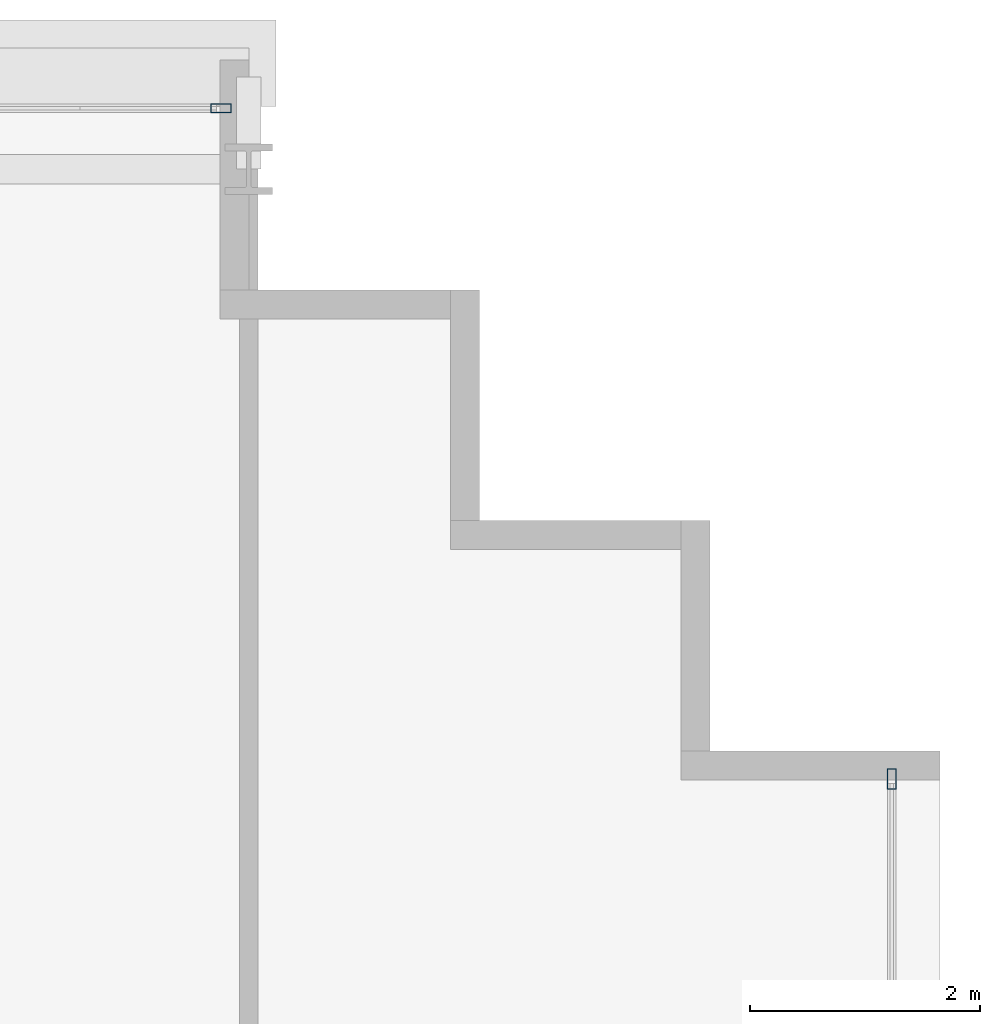
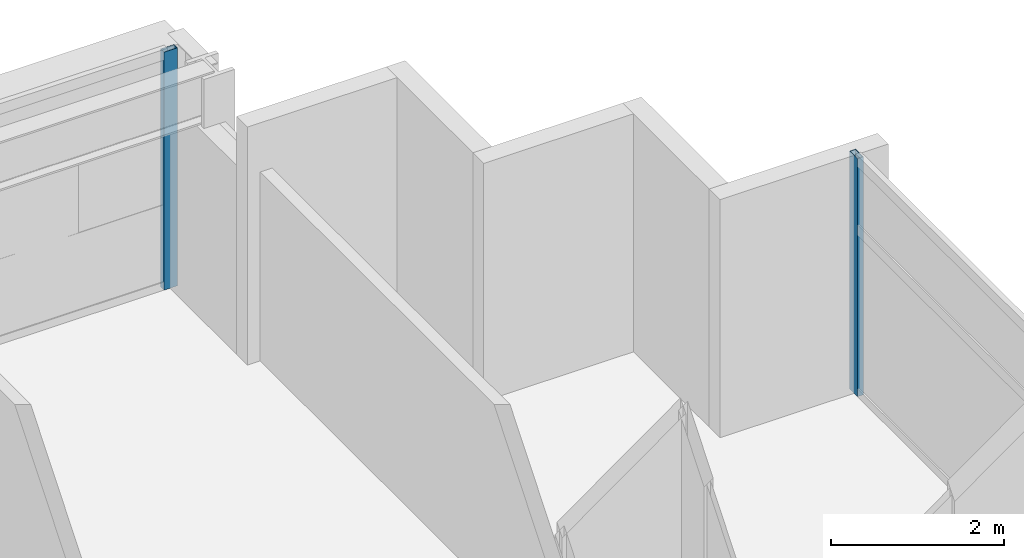
# One storey, part 22 of 35: 2 members, 2 elements without a shape of their own.
"""IFC4 building model written with IfcOpenShell, lengths in metres."""

from ifc_helpers import new_model, si_unit, direction, frame, origin, origin_2d, place, context, subcontext, project, spatial, hollow_rectangle, extrude, source, transform, mapped, material, layer, layer_set, material_profile, profile_set, type_object, element, aggregate, save


model = new_model("IFC4")

# Units and contexts
model_context = context("Model", 3, precision=1e-05, world=origin(), true_north=direction((0.0, 1.0)))
body_context = subcontext(model_context, "Body", "Model", "MODEL_VIEW")
ifc_project = project(units=[si_unit("LENGTHUNIT", "METRE"), si_unit("AREAUNIT", "SQUARE_METRE"), si_unit("VOLUMEUNIT", "CUBIC_METRE"), si_unit("PLANEANGLEUNIT", "RADIAN"), si_unit("MASSUNIT", "GRAM", prefix="KILO")], contexts=[model_context])

# Site, building, storey
site_placement = place(None, origin())
site = spatial("IfcSite", under=ifc_project, at=site_placement, CompositionType="ELEMENT")
building_placement = place(site_placement, origin())
building = spatial("IfcBuilding", under=site, at=building_placement, Name="Ocotamira Hotel", CompositionType="ELEMENT")
storey_placement = place(building_placement, frame((0.0, 0.0, 140.39990234375)))
storey = spatial("IfcBuildingStorey", under=building, at=storey_placement, Name="L35", CompositionType="ELEMENT", Elevation=140.39990234375)

# Curtain wall, member
ifc_material_1 = material(Name="Anodised pale-metal aluminium and solar glass", Category="aluminium")
ifc_layer = layer(ifc_material_1, 0.179931640625)
ifc_layer_set = layer_set([ifc_layer], Name="Anodised pale-metal aluminium and solar glass")
curtain_wall_type = type_object("IfcCurtainWallType", Name="CW-SYS3-Z2", PredefinedType="NOTDEFINED", material=ifc_layer_set)
curtain_wall_1_placement = place(storey_placement, origin())
curtain_wall_1 = element("IfcCurtainWall", 1, at=curtain_wall_1_placement, inside=storey, type_object=curtain_wall_type, Name="L35 Curtain Wall CW-3 CW-L35-N", PredefinedType="NOTDEFINED")
ifc_material_2 = material(Name="Anodised pale-metal aluminium 6063-T6", Category="aluminium")
ifc_material_profile = material_profile(ifc_material_2, hollow_rectangle(XDim=0.080078125, YDim=0.179931640625, WallThickness=0.006103515625, at=origin_2d()), Name="HSS180X80X6")
ifc_profile_set = profile_set([ifc_material_profile], Name="Anodised pale-metal aluminium 6063-T6")
member_type = type_object("IfcMemberType", Name="CWM-180X75", PredefinedType="MULLION", material=ifc_profile_set)
shared_shape = source(origin(), body_context, "Body", "SweptSolid", [
    extrude(hollow_rectangle(XDim=0.080078125, YDim=0.179931640625, WallThickness=0.006103515625, at=origin_2d()), origin(), (0.0, 0.0, 1.0), 3.360107421875),
])
member_1_placement = place(storey_placement, frame((49.760009765625, 49.580078125, 0.0), z_axis=(0.0, 0.0, 1.0), x_axis=(0.0, 1.0, 0.0)))
member_1 = element("IfcMember", 2, at=member_1_placement, type_object=member_type, Name="CW-3 mullion 10", PredefinedType="MULLION", context=body_context, shape_type="MappedRepresentation", body=[
    mapped(shared_shape, transform((0.0, 0.0, 0.0), scale=1.0)),
])
aggregate(curtain_wall_1, [member_1])

curtain_wall_2_placement = place(storey_placement, origin())
curtain_wall_2 = element("IfcCurtainWall", 3, at=curtain_wall_2_placement, inside=storey, type_object=curtain_wall_type, Name="L35 Curtain Wall CW-3 CW-L35-E", PredefinedType="NOTDEFINED")
member_2_placement = place(storey_placement, frame((55.580078125, 43.760009765625, 0.0), z_axis=(0.0, 0.0, 1.0), x_axis=(-1.0, 0.0, 0.0)))
member_2 = element("IfcMember", 4, at=member_2_placement, type_object=member_type, Name="CW-3 mullion 8", PredefinedType="MULLION", context=body_context, shape_type="MappedRepresentation", body=[
    mapped(shared_shape, transform((0.0, 0.0, 0.0), scale=1.0)),
])
aggregate(curtain_wall_2, [member_2])

save(model, "model.ifc")
